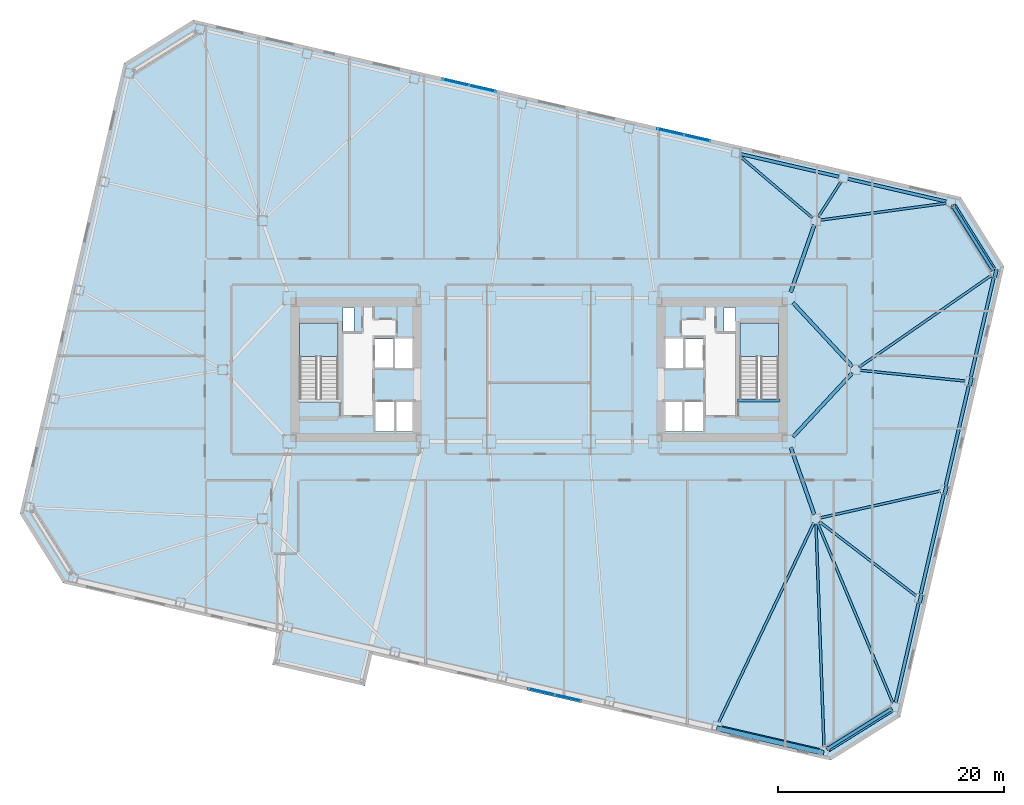
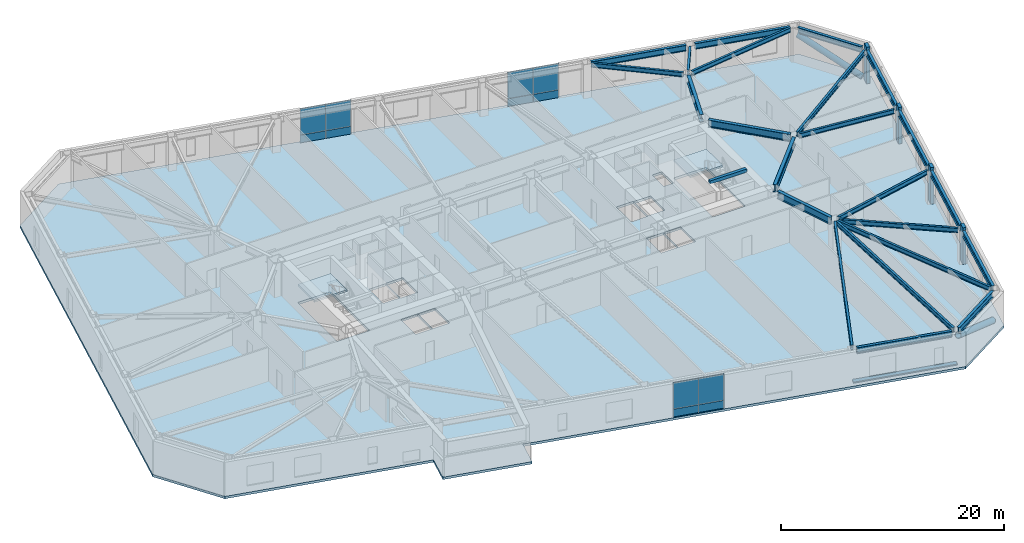
# One storey, part 7 of 18: 24 beams, 12 plates, 7 members, 3 slabs, 5 elements without a shape of their own.
"""IFC4 building model written with IfcOpenShell, lengths in metres."""

from ifc_helpers import new_model, si_unit, direction, frame, origin, origin_2d, place, context, subcontext, project, spatial, polyline, rectangle, hollow_circle, i_section, outline, extrude, material, layer, layer_set, material_profile, profile_set, type_object, element, aggregate, save


model = new_model("IFC4")

# Units and contexts
model_context = context("Model", 3, precision=1e-05, world=origin(), true_north=direction((0.0, 1.0)))
body_context = subcontext(model_context, "Body", "Model", "MODEL_VIEW")
ifc_project = project(units=[si_unit("LENGTHUNIT", "METRE"), si_unit("AREAUNIT", "SQUARE_METRE"), si_unit("VOLUMEUNIT", "CUBIC_METRE"), si_unit("PLANEANGLEUNIT", "RADIAN"), si_unit("MASSUNIT", "GRAM", prefix="KILO")], contexts=[model_context])

# Site, building, storey
site_placement = place(None, origin())
site = spatial("IfcSite", under=ifc_project, at=site_placement, CompositionType="ELEMENT")
building_placement = place(site_placement, origin())
building = spatial("IfcBuilding", under=site, at=building_placement, Name="Tavrogorsk Clinical Tower", CompositionType="ELEMENT")
storey_placement = place(building_placement, frame((0.0, 0.0, 47.39990234375)))
storey = spatial("IfcBuildingStorey", under=building, at=storey_placement, Name="L09", CompositionType="ELEMENT", Elevation=47.39990234375)

# Members
ifc_material_1 = material(Name="Anodised aluminium alloy AW-6063", Category="aluminium")
ifc_material_profile_1 = material_profile(ifc_material_1, rectangle(XDim=0.449951171875, YDim=0.1201171875, at=origin_2d()), Name="ALU-SUNSHADE-450x120")
ifc_profile_set_1 = profile_set([ifc_material_profile_1], Name="Anodised aluminium alloy AW-6063")
member_type_1 = type_object("IfcMemberType", Name="ChicagoSunshade_450x120", PredefinedType="USERDEFINED", material=ifc_profile_set_1)
member_placement = place(storey_placement, frame((15.700439453125, -31.739013671875, 0.18017578125), z_axis=(0.97437219846, -0.224941812182, 0.0), x_axis=(0.224941812182, 0.97437219846, 0.0)))
element("IfcMember", 1, at=member_placement, inside=storey, type_object=member_type_1, Name="L09 South Aluminium Sunshade S7", ObjectType="SUNSHADE", PredefinedType="USERDEFINED", context=body_context, shape_type="SweptSolid", body=[
    extrude(rectangle(XDim=0.449951171875, YDim=0.1201171875, at=origin_2d()), origin(), (0.0, 0.0, 1.0), 9.74853515625),
])
ifc_material_2 = material(Name="Structural steel S440", Category="steel")
ifc_material_profile_2 = material_profile(ifc_material_2, hollow_circle(Radius=0.304931640625, WallThickness=0.02490234375, at=origin_2d()), Name="CHS-610x25")
ifc_profile_set_2 = profile_set([ifc_material_profile_2], Name="Structural steel S440")
member_type_2 = type_object("IfcMemberType", Name="ExoBrace_CHS610", PredefinedType="BRACE", material=ifc_profile_set_2)
for number, where, z_axis, x_axis, name in (
    (2, (31.15185546875, -30.062255859375, 0.442626953125), (-0.794678685861, -0.496570017703, 0.349147538667), (0.529919005048, -0.848048258113, 0.0), "L09 Corner Exoskeleton Brace S8-E1"),
    (3, (40.145751953125, 8.893798828125, 0.442626953125), (-0.496596175948, 0.794664984625, 0.349141518935), (-0.848031606927, -0.529945651603, 0.0), "L09 Corner Exoskeleton Brace E5-N1"),
):
    element("IfcMember", number, at=place(storey_placement, frame(where, z_axis=z_axis, x_axis=x_axis)), inside=storey, type_object=member_type_2, Name=name, PredefinedType="BRACE", context=body_context, shape_type="SweptSolid", body=[
        extrude(hollow_circle(Radius=0.304931640625, WallThickness=0.02490234375, at=origin_2d()), origin(), (0.0, 0.0, 1.0), 7.03173828125),
    ])

# Beams
ifc_material_3 = material(Name="Structural steel S355", Category="steel")
ifc_material_profile_3 = material_profile(ifc_material_3, i_section(OverallWidth=0.219970703125, OverallDepth=0.5, WebThickness=0.012939453125, FlangeThickness=0.02001953125, at=origin_2d()), Name="B-500x220x13x20")
ifc_profile_set_3 = profile_set([ifc_material_profile_3], Name="Structural steel S355")
beam_type_1 = type_object("IfcBeamType", Name="FloorBeam_B500", PredefinedType="BEAM", material=ifc_profile_set_3)
beam_1_placement = place(storey_placement, frame((24.323486328125, -13.570068359375, 3.489990234375), z_axis=(-0.430503237889, -0.90258903282, 0.0), x_axis=(0.90258903282, -0.430503237889, 0.0)))
element("IfcBeam", 4, at=beam_1_placement, inside=storey, type_object=beam_type_1, Name="L09 Radial Floor Beam S7", PredefinedType="BEAM", context=body_context, shape_type="SweptSolid", body=[
    extrude(i_section(OverallWidth=0.219970703125, OverallDepth=0.5, WebThickness=0.012939453125, FlangeThickness=0.02001953125, at=origin_2d()), origin(), (0.0, 0.0, 1.0), 19.527587890625),
])
beam_2_placement = place(storey_placement, frame((24.5146484375, -13.609619140625, 3.489990234375), z_axis=(0.035968399295, -0.999352927775, 0.0), x_axis=(0.999352927775, 0.035968399295, 0.0)))
element("IfcBeam", 5, at=beam_2_placement, inside=storey, type_object=beam_type_1, Name="L09 Radial Floor Beam S8", PredefinedType="BEAM", context=body_context, shape_type="SweptSolid", body=[
    extrude(i_section(OverallWidth=0.219970703125, OverallDepth=0.5, WebThickness=0.012939453125, FlangeThickness=0.02001953125, at=origin_2d()), origin(), (0.0, 0.0, 1.0), 19.751953125),
])
beam_3_placement = place(storey_placement, frame((24.90625, 13.254638671875, 3.489990234375), z_axis=(0.991091561022, 0.133182272357, 0.0), x_axis=(-0.133182272357, 0.991091561022, 0.0)))
element("IfcBeam", 6, at=beam_3_placement, inside=storey, type_object=beam_type_1, Name="L09 Radial Floor Beam N1", PredefinedType="BEAM", context=body_context, shape_type="SweptSolid", body=[
    extrude(i_section(OverallWidth=0.219970703125, OverallDepth=0.5, WebThickness=0.012939453125, FlangeThickness=0.02001953125, at=origin_2d()), origin(), (0.0, 0.0, 1.0), 11.24072265625),
])
beam_4_placement = place(storey_placement, frame((24.722412109375, 13.54443359375, 3.489990234375), z_axis=(0.54237908978, 0.840133872052, 0.0), x_axis=(-0.840133872052, 0.54237908978, 0.0)))
element("IfcBeam", 7, at=beam_4_placement, inside=storey, type_object=beam_type_1, Name="L09 Radial Floor Beam N2", PredefinedType="BEAM", context=body_context, shape_type="SweptSolid", body=[
    extrude(i_section(OverallWidth=0.219970703125, OverallDepth=0.5, WebThickness=0.012939453125, FlangeThickness=0.02001953125, at=origin_2d()), origin(), (0.0, 0.0, 1.0), 3.70361328125),
])
beam_5_placement = place(storey_placement, frame((24.187744140625, 13.465576171875, 3.489990234375), z_axis=(-0.761805700094, 0.647805584496, 0.0), x_axis=(-0.647805584496, -0.761805700094, 0.0)))
element("IfcBeam", 8, at=beam_5_placement, inside=storey, type_object=beam_type_1, Name="L09 Radial Floor Beam N3", PredefinedType="BEAM", context=body_context, shape_type="SweptSolid", body=[
    extrude(i_section(OverallWidth=0.219970703125, OverallDepth=0.5, WebThickness=0.012939453125, FlangeThickness=0.02001953125, at=origin_2d()), origin(), (0.0, 0.0, 1.0), 8.431396484375),
])
beam_6_placement = place(storey_placement, frame((24.658447265625, -13.578125, 3.489990234375), z_axis=(0.386243430459, -0.922396884441, 0.0), x_axis=(0.922396884441, 0.386243430459, 0.0)))
element("IfcBeam", 9, at=beam_6_placement, inside=storey, type_object=beam_type_1, Name="L09 Radial Floor Beam E1", PredefinedType="BEAM", context=body_context, shape_type="SweptSolid", body=[
    extrude(i_section(OverallWidth=0.219970703125, OverallDepth=0.5, WebThickness=0.012939453125, FlangeThickness=0.02001953125, at=origin_2d()), origin(), (0.0, 0.0, 1.0), 17.243408203125),
])
beam_7_placement = place(storey_placement, frame((24.825439453125, -13.449462890625, 3.489990234375), z_axis=(0.7934457884, -0.608640929342, 0.0), x_axis=(0.608640929342, 0.7934457884, 0.0)))
element("IfcBeam", 10, at=beam_7_placement, inside=storey, type_object=beam_type_1, Name="L09 Radial Floor Beam E2", PredefinedType="BEAM", context=body_context, shape_type="SweptSolid", body=[
    extrude(i_section(OverallWidth=0.219970703125, OverallDepth=0.5, WebThickness=0.012939453125, FlangeThickness=0.02001953125, at=origin_2d()), origin(), (0.0, 0.0, 1.0), 10.769287109375),
])
beam_8_placement = place(storey_placement, frame((24.900146484375, -13.1103515625, 3.489990234375), z_axis=(0.975844140255, 0.218467878484, 0.0), x_axis=(-0.218467878484, 0.975844140255, 0.0)))
element("IfcBeam", 11, at=beam_8_placement, inside=storey, type_object=beam_type_1, Name="L09 Radial Floor Beam E3", PredefinedType="BEAM", context=body_context, shape_type="SweptSolid", body=[
    extrude(i_section(OverallWidth=0.219970703125, OverallDepth=0.5, WebThickness=0.012939453125, FlangeThickness=0.02001953125, at=origin_2d()), origin(), (0.0, 0.0, 1.0), 10.876708984375),
])
beam_9_placement = place(storey_placement, frame((28.407958984375, -0.041748046875, 3.489990234375), z_axis=(0.994791610226, -0.101929643501, 0.0), x_axis=(0.101929643501, 0.994791610226, 0.0)))
element("IfcBeam", 12, at=beam_9_placement, inside=storey, type_object=beam_type_1, Name="L09 Radial Floor Beam E4", PredefinedType="BEAM", context=body_context, shape_type="SweptSolid", body=[
    extrude(i_section(OverallWidth=0.219970703125, OverallDepth=0.5, WebThickness=0.012939453125, FlangeThickness=0.02001953125, at=origin_2d()), origin(), (0.0, 0.0, 1.0), 9.365234375),
])
beam_10_placement = place(storey_placement, frame((28.3369140625, 0.233642578125, 3.489990234375), z_axis=(0.82154295725, 0.570146620961, 0.0), x_axis=(-0.570146620961, 0.82154295725, 0.0)))
element("IfcBeam", 13, at=beam_10_placement, inside=storey, type_object=beam_type_1, Name="L09 Radial Floor Beam E5", PredefinedType="BEAM", context=body_context, shape_type="SweptSolid", body=[
    extrude(i_section(OverallWidth=0.219970703125, OverallDepth=0.5, WebThickness=0.012939453125, FlangeThickness=0.02001953125, at=origin_2d()), origin(), (0.0, 0.0, 1.0), 14.212646484375),
])

# Members
ifc_material_4 = material(Name="Precast concrete B45 with limestone cladding", Category="masonry")
ifc_material_profile_4 = material_profile(ifc_material_4, rectangle(XDim=0.320068359375, YDim=0.719970703125, at=origin_2d()), Name="LIMESTONE-FIN-320x720")
ifc_profile_set_4 = profile_set([ifc_material_profile_4], Name="Precast concrete B45 with limestone cladding")
member_type_3 = type_object("IfcMemberType", Name="LimestonePleatFin_320x720", PredefinedType="USERDEFINED", material=ifc_profile_set_4)
for number, where, z_axis, x_axis, name in (
    (14, (33.772216796875, -20.2705078125, 0.0), (0.0, 0.0, 1.0), (0.974370064785, -0.224951054344, 0.0), "L09 E Pleated Stone Fin 1"),
    (15, (35.990234375, -10.6630859375, 0.0), (0.0, 0.0, 1.0), (0.974370064785, -0.224951054344, 0.0), "L09 E Pleated Stone Fin 2"),
    (16, (38.208251953125, -1.055908203125, 0.0), (0.0, 0.0, 1.0), (0.974370064785, -0.224951054344, 0.0), "L09 E Pleated Stone Fin 3"),
    (17, (40.42626953125, 8.551513671875, 0.0), (0.0, 0.0, 1.0), (0.974370064785, -0.224951054344, 0.0), "L09 E Pleated Stone Fin 4"),
):
    element("IfcMember", number, at=place(storey_placement, frame(where, z_axis=z_axis, x_axis=x_axis)), inside=storey, type_object=member_type_3, Name=name, ObjectType="FIN", PredefinedType="USERDEFINED", context=body_context, shape_type="SweptSolid", body=[
        extrude(rectangle(XDim=0.320068359375, YDim=0.719970703125, at=origin_2d()), origin(), (0.0, 0.0, 1.0), 4.0),
    ])

# Beams
ifc_material_5 = material(Name="Structural steel S390", Category="steel")
ifc_material_profile_5 = material_profile(ifc_material_5, i_section(OverallWidth=0.320068359375, OverallDepth=0.800048828125, WebThickness=0.02001953125, FlangeThickness=0.033935546875, at=origin_2d()), Name="B-800x320x20x34")
ifc_profile_set_5 = profile_set([ifc_material_profile_5], Name="Structural steel S390")
beam_type_2 = type_object("IfcBeamType", Name="PrimaryGirder_B800", PredefinedType="USERDEFINED", material=ifc_profile_set_5)
for number, where, z_axis, x_axis, name in (
    (18, (24.364501953125, -12.81298828125, 3.340087890625), (-0.330668611543, 0.943746930771, 0.0), (-0.943746930771, -0.330668611543, 0.0), "L09 Spine Link Girder OPG-2"),
    (19, (24.364501953125, 12.81298828125, 3.340087890625), (-0.330668611543, -0.943746930771, 0.0), (0.943746930771, -0.330668611543, 0.0), "L09 Spine Link Girder OPG-4"),
):
    element("IfcBeam", number, at=place(storey_placement, frame(where, z_axis=z_axis, x_axis=x_axis)), inside=storey, type_object=beam_type_2, Name=name, ObjectType="GIRDER", PredefinedType="USERDEFINED", context=body_context, shape_type="SweptSolid", body=[
        extrude(i_section(OverallWidth=0.320068359375, OverallDepth=0.800048828125, WebThickness=0.02001953125, FlangeThickness=0.033935546875, at=origin_2d()), origin(), (0.0, 0.0, 1.0), 6.288330078125),
    ])
for number, where, z_axis, x_axis, name in (
    (20, (27.720947265625, -0.30029296875, 3.340087890625), (-0.680671250221, -0.732589004233, 0.0), (0.732589004233, -0.680671250221, 0.0), "L09 Spine Link Girder OPG-7"),
    (21, (27.720947265625, 0.30029296875, 3.340087890625), (-0.680671250221, 0.732589004233, 0.0), (-0.732589004233, -0.680671250221, 0.0), "L09 Spine Link Girder OPG-8"),
):
    element("IfcBeam", number, at=place(storey_placement, frame(where, z_axis=z_axis, x_axis=x_axis)), inside=storey, type_object=beam_type_2, Name=name, ObjectType="GIRDER", PredefinedType="USERDEFINED", context=body_context, shape_type="SweptSolid", body=[
        extrude(i_section(OverallWidth=0.320068359375, OverallDepth=0.800048828125, WebThickness=0.02001953125, FlangeThickness=0.033935546875, at=origin_2d()), origin(), (0.0, 0.0, 1.0), 7.697998046875),
    ])
ifc_material_6 = material(Name="Structural steel S390", Category="steel")
ifc_material_profile_6 = material_profile(ifc_material_6, i_section(OverallWidth=0.280029296875, OverallDepth=0.64990234375, WebThickness=0.01611328125, FlangeThickness=0.02490234375, at=origin_2d()), Name="B-650x280x16x25")
ifc_profile_set_6 = profile_set([ifc_material_profile_6], Name="Structural steel S390")
beam_type_3 = type_object("IfcBeamType", Name="SpandrelBeam_B650", PredefinedType="SPANDREL", material=ifc_profile_set_6)
beam_11_placement = place(storey_placement, frame((16.138427734375, -31.655517578125, 3.4150390625), z_axis=(0.974372766602, -0.224939351168, 0.0), x_axis=(0.224939351168, 0.974372766602, 0.0)))
element("IfcBeam", 22, at=beam_11_placement, inside=storey, type_object=beam_type_3, Name="L09 Perimeter Spandrel S7-S8", PredefinedType="SPANDREL", context=body_context, shape_type="SweptSolid", body=[
    extrude(i_section(OverallWidth=0.280029296875, OverallDepth=0.64990234375, WebThickness=0.01611328125, FlangeThickness=0.02490234375, at=origin_2d()), origin(), (0.0, 0.0, 1.0), 8.9326171875),
])
beam_12_placement = place(storey_placement, frame((25.585693359375, -33.540283203125, 3.4150390625), z_axis=(0.848061235793, 0.529898235839, 0.0), x_axis=(-0.529898235839, 0.848061235793, 0.0)))
element("IfcBeam", 23, at=beam_12_placement, inside=storey, type_object=beam_type_3, Name="L09 Perimeter Spandrel S8-E1", PredefinedType="SPANDREL", context=body_context, shape_type="SweptSolid", body=[
    extrude(i_section(OverallWidth=0.280029296875, OverallDepth=0.64990234375, WebThickness=0.01611328125, FlangeThickness=0.02490234375, at=origin_2d()), origin(), (0.0, 0.0, 1.0), 6.537841796875),
])
beam_13_placement = place(storey_placement, frame((31.56787109375, -29.462158203125, 3.4150390625), z_axis=(0.224971881043, 0.974365256328, 0.0), x_axis=(-0.974365256328, 0.224971881043, 0.0)))
element("IfcBeam", 24, at=beam_13_placement, inside=storey, type_object=beam_type_3, Name="L09 Perimeter Spandrel E1-E2", PredefinedType="SPANDREL", context=body_context, shape_type="SweptSolid", body=[
    extrude(i_section(OverallWidth=0.280029296875, OverallDepth=0.64990234375, WebThickness=0.01611328125, FlangeThickness=0.02490234375, at=origin_2d()), origin(), (0.0, 0.0, 1.0), 9.044189453125),
])
for number, where, z_axis, x_axis, name in (
    (25, (33.785888671875, -19.85498046875, 3.4150390625), (0.224946252597, 0.974371173343, 0.0), (-0.974371173343, 0.224946252597, 0.0), "L09 Perimeter Spandrel E2-E3"),
    (26, (36.00390625, -10.24755859375, 3.4150390625), (0.224946252597, 0.974371173343, 0.0), (-0.974371173343, 0.224946252597, 0.0), "L09 Perimeter Spandrel E3-E4"),
):
    element("IfcBeam", number, at=place(storey_placement, frame(where, z_axis=z_axis, x_axis=x_axis)), inside=storey, type_object=beam_type_3, Name=name, PredefinedType="SPANDREL", context=body_context, shape_type="SweptSolid", body=[
        extrude(i_section(OverallWidth=0.280029296875, OverallDepth=0.64990234375, WebThickness=0.01611328125, FlangeThickness=0.02490234375, at=origin_2d()), origin(), (0.0, 0.0, 1.0), 9.0439453125),
    ])
beam_14_placement = place(storey_placement, frame((38.221923828125, -0.640380859375, 3.4150390625), z_axis=(0.224971881043, 0.974365256328, 0.0), x_axis=(-0.974365256328, 0.224971881043, 0.0)))
element("IfcBeam", 27, at=beam_14_placement, inside=storey, type_object=beam_type_3, Name="L09 Perimeter Spandrel E4-E5", PredefinedType="SPANDREL", context=body_context, shape_type="SweptSolid", body=[
    extrude(i_section(OverallWidth=0.280029296875, OverallDepth=0.64990234375, WebThickness=0.01611328125, FlangeThickness=0.02490234375, at=origin_2d()), origin(), (0.0, 0.0, 1.0), 9.044189453125),
])
beam_15_placement = place(storey_placement, frame((40.132080078125, 8.91552734375, 3.4150390625), z_axis=(-0.529925092475, 0.848044454239, 0.0), x_axis=(-0.848044454239, -0.529925092475, 0.0)))
element("IfcBeam", 28, at=beam_15_placement, inside=storey, type_object=beam_type_3, Name="L09 Perimeter Spandrel E5-N1", PredefinedType="SPANDREL", context=body_context, shape_type="SweptSolid", body=[
    extrude(i_section(OverallWidth=0.280029296875, OverallDepth=0.64990234375, WebThickness=0.01611328125, FlangeThickness=0.02490234375, at=origin_2d()), origin(), (0.0, 0.0, 1.0), 6.537841796875),
])
for number, where, z_axis, x_axis, name in (
    (29, (36.0537109375, 14.897705078125, 3.4150390625), (-0.974366775889, 0.224965299645, 0.0), (-0.224965299645, -0.974366775889, 0.0), "L09 Perimeter Spandrel N1-N2"),
    (30, (26.554931640625, 17.090576171875, 3.4150390625), (-0.974366775889, 0.224965299645, 0.0), (-0.224965299645, -0.974366775889, 0.0), "L09 Perimeter Spandrel N2-N3"),
):
    element("IfcBeam", number, at=place(storey_placement, frame(where, z_axis=z_axis, x_axis=x_axis)), inside=storey, type_object=beam_type_3, Name=name, PredefinedType="SPANDREL", context=body_context, shape_type="SweptSolid", body=[
        extrude(i_section(OverallWidth=0.280029296875, OverallDepth=0.64990234375, WebThickness=0.01611328125, FlangeThickness=0.02490234375, at=origin_2d()), origin(), (0.0, 0.0, 1.0), 8.9326171875),
    ])
ifc_material_7 = material(Name="Concrete B60", Category="concrete")
ifc_material_profile_7 = material_profile(ifc_material_7, rectangle(XDim=0.300048828125, YDim=0.35009765625, at=origin_2d()), Name="RC-SHB-300x350")
ifc_profile_set_7 = profile_set([ifc_material_profile_7], Name="Concrete B60")
beam_type_4 = type_object("IfcBeamType", Name="StairHeaderBeam_RC300x350", PredefinedType="BEAM", material=ifc_profile_set_7)
beam_16_placement = place(storey_placement, frame((17.550048828125, -2.719970703125, 3.8251953125), z_axis=(1.0, 0.0, 0.0), x_axis=(0.0, 1.0, 0.0)))
element("IfcBeam", 31, at=beam_16_placement, inside=storey, type_object=beam_type_4, Name="L10 ST-E Landing Header Beam", PredefinedType="BEAM", context=body_context, shape_type="SweptSolid", body=[
    extrude(rectangle(XDim=0.300048828125, YDim=0.35009765625, at=origin_2d()), origin(), (0.0, 0.0, 1.0), 3.800048828125),
])

# Curtain wall, plates
ifc_material_8 = material(Name="Anodised aluminium and triple IGU glazing", Category="aluminium")
ifc_layer_1 = layer(ifc_material_8, 0.179931640625)
ifc_layer_set_1 = layer_set([ifc_layer_1], Name="Anodised aluminium and triple IGU glazing")
curtain_wall_type_1 = type_object("IfcCurtainWallType", Name="CW3_SouthSlot", PredefinedType="NOTDEFINED", material=ifc_layer_set_1)
curtain_wall_1_placement = place(storey_placement, origin())
curtain_wall_1 = element("IfcCurtainWall", 32, at=curtain_wall_1_placement, inside=storey, type_object=curtain_wall_type_1, Name="L09 Curtain Wall CW-L09-S-SLOT-2", PredefinedType="NOTDEFINED")
ifc_material_9 = material(Name="Honed Podolsk limestone spandrel panel", Category="masonry")
ifc_layer_2 = layer(ifc_material_9, 0.080078125)
ifc_layer_set_2 = layer_set([ifc_layer_2], Name="Honed Podolsk limestone spandrel panel")
plate_type_1 = type_object("IfcPlateType", Name="CwSpandrelStonePanel_80", PredefinedType="CURTAIN_PANEL", material=ifc_layer_set_2)
plate_1_placement = place(storey_placement, frame((0.201171875, -28.49951171875, 0.002197265625), z_axis=(0.0, 0.0, 1.0), x_axis=(0.974370102963, -0.224950888978, 0.0)))
plate_1 = element("IfcPlate", 33, at=plate_1_placement, type_object=plate_type_1, Name="CW-L09-S-SLOT-2 Stone Spandrel Panel 1", PredefinedType="CURTAIN_PANEL", context=body_context, shape_type="SweptSolid", body=[
    extrude(rectangle(XDim=2.39208984375, YDim=0.080078125, at=origin_2d()), origin(), (0.0, 0.0, 1.0), 0.8359375),
])
plate_2_placement = place(storey_placement, frame((2.55517578125, -29.04296875, 0.002197265625), z_axis=(0.0, 0.0, 1.0), x_axis=(0.974370102963, -0.224950888978, 0.0)))
plate_2 = element("IfcPlate", 34, at=plate_2_placement, type_object=plate_type_1, Name="CW-L09-S-SLOT-2 Stone Spandrel Panel 2", PredefinedType="CURTAIN_PANEL", context=body_context, shape_type="SweptSolid", body=[
    extrude(rectangle(XDim=2.39208984375, YDim=0.080078125, at=origin_2d()), origin(), (0.0, 0.0, 1.0), 0.8359375),
])

ifc_material_10 = material(Name="Anodised aluminium and triple IGU glazing", Category="aluminium")
ifc_layer_3 = layer(ifc_material_10, 0.179931640625)
ifc_layer_set_3 = layer_set([ifc_layer_3], Name="Anodised aluminium and triple IGU glazing")
curtain_wall_type_2 = type_object("IfcCurtainWallType", Name="CW2_NorthSlot", PredefinedType="NOTDEFINED", material=ifc_layer_set_3)
curtain_wall_2_placement = place(storey_placement, origin())
curtain_wall_2 = element("IfcCurtainWall", 35, at=curtain_wall_2_placement, inside=storey, type_object=curtain_wall_type_2, Name="L09 Curtain Wall CW-L09-N-SLOT-1", PredefinedType="NOTDEFINED")
plate_3_placement = place(storey_placement, frame((-5.001220703125, 24.8994140625, 0.002197265625), z_axis=(0.0, 0.0, 1.0), x_axis=(-0.974370102963, 0.224950888978, 0.0)))
plate_3 = element("IfcPlate", 36, at=plate_3_placement, type_object=plate_type_1, Name="CW-L09-N-SLOT-1 Stone Spandrel Panel 1", PredefinedType="CURTAIN_PANEL", context=body_context, shape_type="SweptSolid", body=[
    extrude(rectangle(XDim=2.39208984375, YDim=0.080078125, at=origin_2d()), origin(), (0.0, 0.0, 1.0), 0.8359375),
])
plate_4_placement = place(storey_placement, frame((-7.355224609375, 25.44287109375, 0.002197265625), z_axis=(0.0, 0.0, 1.0), x_axis=(-0.974370102963, 0.224950888978, 0.0)))
plate_4 = element("IfcPlate", 37, at=plate_4_placement, type_object=plate_type_1, Name="CW-L09-N-SLOT-1 Stone Spandrel Panel 2", PredefinedType="CURTAIN_PANEL", context=body_context, shape_type="SweptSolid", body=[
    extrude(rectangle(XDim=2.39208984375, YDim=0.080078125, at=origin_2d()), origin(), (0.0, 0.0, 1.0), 0.8359375),
])

curtain_wall_3_placement = place(storey_placement, origin())
curtain_wall_3 = element("IfcCurtainWall", 38, at=curtain_wall_3_placement, inside=storey, type_object=curtain_wall_type_2, Name="L09 Curtain Wall CW-L09-N-SLOT-2", PredefinedType="NOTDEFINED")
plate_5_placement = place(storey_placement, frame((13.996337890625, 20.513427734375, 0.002197265625), z_axis=(0.0, 0.0, 1.0), x_axis=(-0.974370046851, 0.224951132027, 0.0)))
plate_5 = element("IfcPlate", 39, at=plate_5_placement, type_object=plate_type_1, Name="CW-L09-N-SLOT-2 Stone Spandrel Panel 1", PredefinedType="CURTAIN_PANEL", context=body_context, shape_type="SweptSolid", body=[
    extrude(rectangle(XDim=2.39208984375, YDim=0.080078125, at=origin_2d()), origin(), (0.0, 0.0, 1.0), 0.8359375),
])
plate_6_placement = place(storey_placement, frame((11.642333984375, 21.05712890625, 0.002197265625), z_axis=(0.0, 0.0, 1.0), x_axis=(-0.974370046851, 0.224951132027, 0.0)))
plate_6 = element("IfcPlate", 40, at=plate_6_placement, type_object=plate_type_1, Name="CW-L09-N-SLOT-2 Stone Spandrel Panel 2", PredefinedType="CURTAIN_PANEL", context=body_context, shape_type="SweptSolid", body=[
    extrude(rectangle(XDim=2.39208984375, YDim=0.080078125, at=origin_2d()), origin(), (0.0, 0.0, 1.0), 0.8359375),
])

# Plate
ifc_material_11 = material(Name="Triple low-E argon insulated glass", Category="glass")
ifc_layer_4 = layer(ifc_material_11, 0.048095703125)
ifc_layer_set_4 = layer_set([ifc_layer_4], Name="Triple low-E argon insulated glass")
plate_type_2 = type_object("IfcPlateType", Name="CwVisionGlassPanel_48", PredefinedType="CURTAIN_PANEL", material=ifc_layer_set_4)
plate_7_placement = place(storey_placement, frame((0.201171875, -28.49951171875, 0.862060546875), z_axis=(0.0, 0.0, 1.0), x_axis=(0.974370102963, -0.224950888978, 0.0)))
plate_7 = element("IfcPlate", 41, at=plate_7_placement, type_object=plate_type_2, Name="CW-L09-S-SLOT-2 Glazing Panel 1", PredefinedType="CURTAIN_PANEL", context=body_context, shape_type="SweptSolid", body=[
    extrude(rectangle(XDim=2.39208984375, YDim=0.048095703125, at=origin_2d()), origin(), (0.0, 0.0, 1.0), 2.8759765625),
])

plate_8_placement = place(storey_placement, frame((2.55517578125, -29.04296875, 0.862060546875), z_axis=(0.0, 0.0, 1.0), x_axis=(0.974370102963, -0.224950888978, 0.0)))
plate_8 = element("IfcPlate", 42, at=plate_8_placement, type_object=plate_type_2, Name="CW-L09-S-SLOT-2 Glazing Panel 2", PredefinedType="CURTAIN_PANEL", context=body_context, shape_type="SweptSolid", body=[
    extrude(rectangle(XDim=2.39208984375, YDim=0.048095703125, at=origin_2d()), origin(), (0.0, 0.0, 1.0), 2.8759765625),
])

aggregate(curtain_wall_1, [plate_1, plate_7, plate_2, plate_8])

plate_9_placement = place(storey_placement, frame((-5.001220703125, 24.8994140625, 0.862060546875), z_axis=(0.0, 0.0, 1.0), x_axis=(-0.974370102963, 0.224950888978, 0.0)))
plate_9 = element("IfcPlate", 43, at=plate_9_placement, type_object=plate_type_2, Name="CW-L09-N-SLOT-1 Glazing Panel 1", PredefinedType="CURTAIN_PANEL", context=body_context, shape_type="SweptSolid", body=[
    extrude(rectangle(XDim=2.39208984375, YDim=0.048095703125, at=origin_2d()), origin(), (0.0, 0.0, 1.0), 2.8759765625),
])

plate_10_placement = place(storey_placement, frame((-7.355224609375, 25.44287109375, 0.862060546875), z_axis=(0.0, 0.0, 1.0), x_axis=(-0.974370102963, 0.224950888978, 0.0)))
plate_10 = element("IfcPlate", 44, at=plate_10_placement, type_object=plate_type_2, Name="CW-L09-N-SLOT-1 Glazing Panel 2", PredefinedType="CURTAIN_PANEL", context=body_context, shape_type="SweptSolid", body=[
    extrude(rectangle(XDim=2.39208984375, YDim=0.048095703125, at=origin_2d()), origin(), (0.0, 0.0, 1.0), 2.8759765625),
])

aggregate(curtain_wall_2, [plate_3, plate_9, plate_4, plate_10])

plate_11_placement = place(storey_placement, frame((13.996337890625, 20.513427734375, 0.862060546875), z_axis=(0.0, 0.0, 1.0), x_axis=(-0.974370046851, 0.224951132027, 0.0)))
plate_11 = element("IfcPlate", 45, at=plate_11_placement, type_object=plate_type_2, Name="CW-L09-N-SLOT-2 Glazing Panel 1", PredefinedType="CURTAIN_PANEL", context=body_context, shape_type="SweptSolid", body=[
    extrude(rectangle(XDim=2.39208984375, YDim=0.048095703125, at=origin_2d()), origin(), (0.0, 0.0, 1.0), 2.8759765625),
])

plate_12_placement = place(storey_placement, frame((11.642333984375, 21.05712890625, 0.862060546875), z_axis=(0.0, 0.0, 1.0), x_axis=(-0.974370046851, 0.224951132027, 0.0)))
plate_12 = element("IfcPlate", 46, at=plate_12_placement, type_object=plate_type_2, Name="CW-L09-N-SLOT-2 Glazing Panel 2", PredefinedType="CURTAIN_PANEL", context=body_context, shape_type="SweptSolid", body=[
    extrude(rectangle(XDim=2.39208984375, YDim=0.048095703125, at=origin_2d()), origin(), (0.0, 0.0, 1.0), 2.8759765625),
])

aggregate(curtain_wall_3, [plate_5, plate_11, plate_6, plate_12])

# Stair, slab
ifc_material_12 = material(Name="Concrete B60", Category="concrete")
stair_type = type_object("IfcStairType", Name="CoreStairAssembly", PredefinedType="HALF_TURN_STAIR", material=ifc_material_12)
stair_1_placement = place(storey_placement, origin())
stair_1 = element("IfcStair", 47, at=stair_1_placement, inside=storey, type_object=stair_type, Name="L09 ST-W", PredefinedType="HALF_TURN_STAIR")
ifc_material_13 = material(Name="Concrete B60", Category="concrete")
ifc_layer_5 = layer(ifc_material_13, 0.199951171875)
ifc_layer_set_5 = layer_set([ifc_layer_5], Name="Concrete B60")
slab_type_1 = type_object("IfcSlabType", Name="StairLanding_200", PredefinedType="LANDING", material=ifc_layer_set_5)
slab_1_placement = place(storey_placement, frame((0.0, 0.0, 1.800048828125)))
slab_1 = element("IfcSlab", 48, at=slab_1_placement, type_object=slab_type_1, Name="ST-W landing 1", PredefinedType="LANDING", context=body_context, shape_type="SweptSolid", body=[
    extrude(outline(polyline([(-17.800048828125, 1.1650390625), (-17.800048828125, 4.125), (-21.199951171875, 4.125), (-21.199951171875, 1.1650390625), (-17.800048828125, 1.1650390625)])), origin(), (0.0, 0.0, 1.0), 0.199951171875),
])
aggregate(stair_1, [slab_1])

stair_2_placement = place(storey_placement, origin())
stair_2 = element("IfcStair", 49, at=stair_2_placement, inside=storey, type_object=stair_type, Name="L09 ST-E", PredefinedType="HALF_TURN_STAIR")
slab_2_placement = place(storey_placement, frame((0.0, 0.0, 1.800048828125)))
slab_2 = element("IfcSlab", 50, at=slab_2_placement, type_object=slab_type_1, Name="ST-E landing 1", PredefinedType="LANDING", context=body_context, shape_type="SweptSolid", body=[
    extrude(outline(polyline([(21.199951171875, 1.1650390625), (21.199951171875, 4.125), (17.800048828125, 4.125), (17.800048828125, 1.1650390625), (21.199951171875, 1.1650390625)])), origin(), (0.0, 0.0, 1.0), 0.199951171875),
])
aggregate(stair_2, [slab_2])

# Slab
ifc_material_14 = material(Name="Concrete B60", Category="concrete")
ifc_layer_6 = layer(ifc_material_14, 0.260009765625)
ifc_layer_set_6 = layer_set([ifc_layer_6], Name="Concrete B60")
slab_type_2 = type_object("IfcSlabType", Name="WardSlab_260", PredefinedType="FLOOR", material=ifc_layer_set_6)
slab_3_placement = place(storey_placement, frame((0.0, 0.0, -0.260009765625)))
element("IfcSlab", 51, at=slab_3_placement, inside=storey, type_object=slab_type_2, Name="L09 Structural Slab", PredefinedType="FLOOR", context=body_context, shape_type="SweptSolid", body=[
    extrude(outline(polyline([(-42.06689453125, -18.91552734375), (-45.9638671875, -12.67919921875), (-36.785888671875, 27.0751953125), (-30.54931640625, 30.97216796875), (37.266845703125, 15.315673828125), (41.163818359375, 9.0791015625), (31.98583984375, -30.67529296875), (25.749267578125, -34.572265625), (-14.784423828125, -25.214111328125), (-15.425537109375, -27.9912109375), (-23.6103515625, -26.1015625), (-22.96923828125, -23.32470703125), (-42.06689453125, -18.91552734375)]), holes=[polyline([(-17.800048828125, -2.8798828125), (-17.800048828125, 4.125), (-21.199951171875, 4.125), (-21.199951171875, -2.8798828125), (-17.800048828125, -2.8798828125)]), polyline([(21.199951171875, -2.8798828125), (21.199951171875, 4.125), (17.800048828125, 4.125), (17.800048828125, -2.8798828125), (21.199951171875, -2.8798828125)]), polyline([(-14.6201171875, 0.169921875), (-12.860107421875, 0.169921875), (-12.860107421875, 2.72998046875), (-14.6201171875, 2.72998046875), (-14.6201171875, 0.169921875)]), polyline([(-14.530029296875, -5.47998046875), (-12.77001953125, -5.47998046875), (-12.77001953125, -2.820068359375), (-14.530029296875, -2.820068359375), (-14.530029296875, -5.47998046875)]), polyline([(-12.72998046875, -5.47998046875), (-10.969970703125, -5.47998046875), (-10.969970703125, -2.820068359375), (-12.72998046875, -2.820068359375), (-12.72998046875, -5.47998046875)]), polyline([(-12.840087890625, 0.1201171875), (-11.080078125, 0.1201171875), (-11.080078125, 2.780029296875), (-12.840087890625, 2.780029296875), (-12.840087890625, 0.1201171875)]), polyline([(12.860107421875, 0.169921875), (14.6201171875, 0.169921875), (14.6201171875, 2.72998046875), (12.860107421875, 2.72998046875), (12.860107421875, 0.169921875)]), polyline([(12.77001953125, -5.47998046875), (14.530029296875, -5.47998046875), (14.530029296875, -2.820068359375), (12.77001953125, -2.820068359375), (12.77001953125, -5.47998046875)]), polyline([(10.969970703125, -5.47998046875), (12.72998046875, -5.47998046875), (12.72998046875, -2.820068359375), (10.969970703125, -2.820068359375), (10.969970703125, -5.47998046875)]), polyline([(11.080078125, 0.1201171875), (12.840087890625, 0.1201171875), (12.840087890625, 2.780029296875), (11.080078125, 2.780029296875), (11.080078125, 0.1201171875)]), polyline([(-17.3798828125, 3.449951171875), (-16.3798828125, 3.449951171875), (-16.3798828125, 5.5), (-17.3798828125, 5.5), (-17.3798828125, 3.449951171875)]), polyline([(16.3798828125, 3.449951171875), (17.3798828125, 3.449951171875), (17.3798828125, 5.5), (16.3798828125, 5.5), (16.3798828125, 3.449951171875)])]), origin(), (0.0, 0.0, 1.0), 0.260009765625),
])

save(model, "model.ifc")
